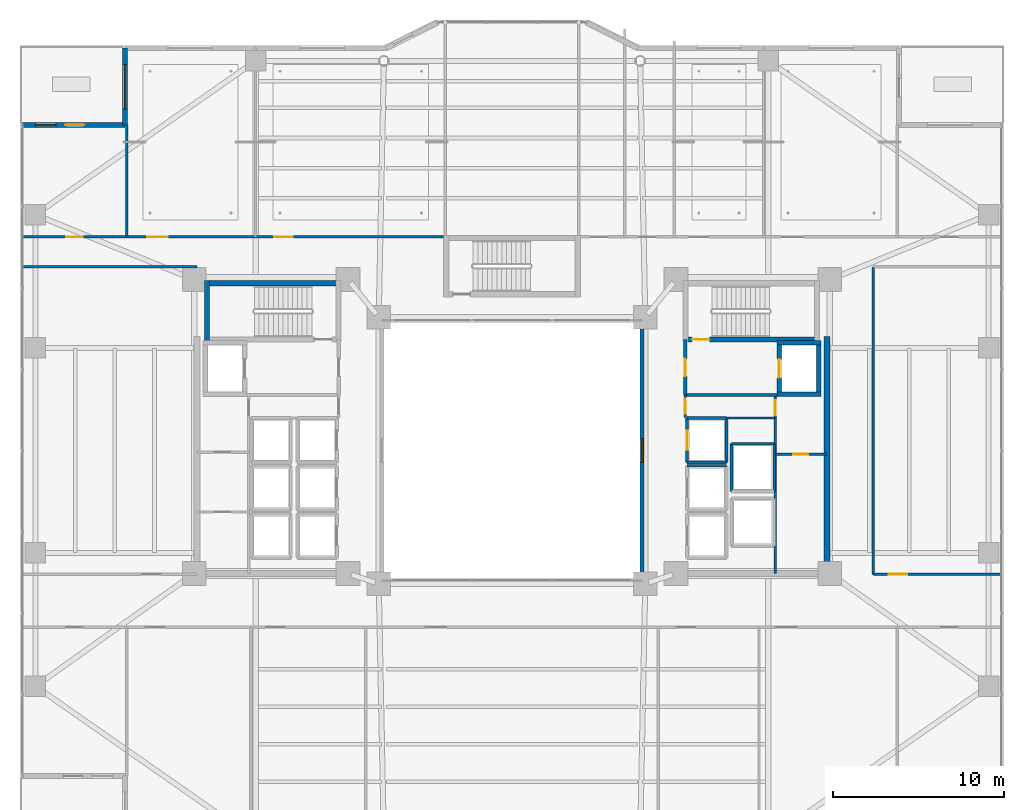
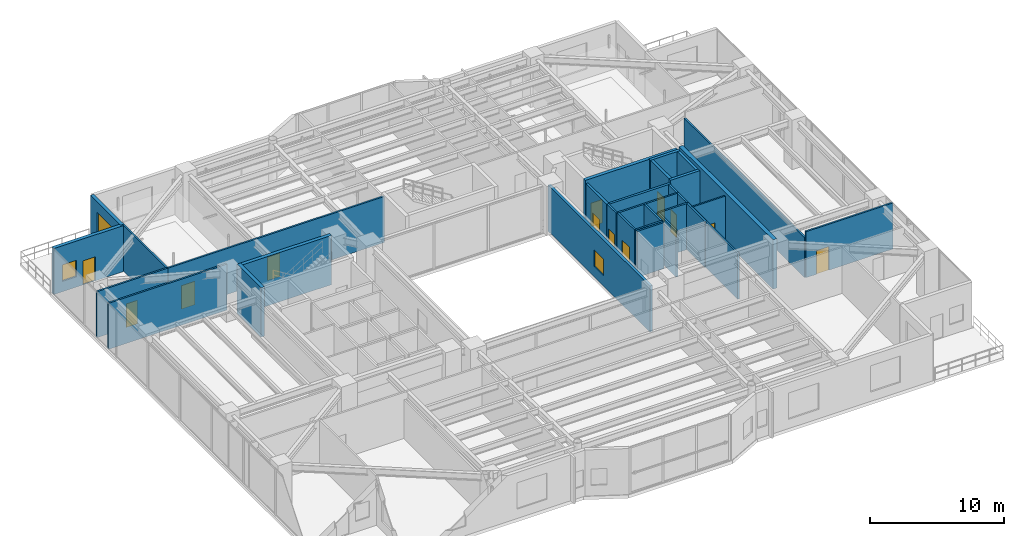
# One storey, part 31 of 39: 31 walls, 12 doors, 3 windows, 15 openings.
"""IFC4 building model written with IfcOpenShell, lengths in metres."""

import ifcopenshell
import ifcopenshell.guid

model = None  # the IFC model being written
_history = None  # IfcOwnerHistory: only IFC2X3 demands one
_inside = {}  # id of a spatial element -> (the spatial element, [elements in it])
_under = {}  # id of a project, library or spatial element -> (it, [spatial elements below it])
_declared = {}  # id of a project -> (the project, [libraries it declares])
_typed = {}  # id of a type object -> (the type object, [elements of that type])
_made_of = {}  # id of a material, layer set ... -> (it, [elements and type objects made of it])


def new_model(schema):
    """Start an empty IFC model of exactly this schema.

    Asked for "IFC4X3", IfcOpenShell would pick the latest addendum, in which some entities
    have other attributes; the version numbers below select the first issue.
    IFC2X3 requires an IfcOwnerHistory on every rooted entity: one is made here for all.
    """
    global model, _history
    if schema == "IFC4X3":
        model = ifcopenshell.file(schema_version=(4, 3, 0, 0))
    else:
        model = ifcopenshell.file(schema=schema)
    _inside.clear()
    _under.clear()
    _declared.clear()
    _typed.clear()
    _made_of.clear()
    _history = None
    if model.schema == "IFC2X3":
        org = make("IfcOrganization", Name="unknown")
        user = make(
            "IfcPersonAndOrganization",
            ThePerson=make("IfcPerson", FamilyName="unknown"),
            TheOrganization=org,
        )
        app = make(
            "IfcApplication",
            ApplicationDeveloper=org,
            Version="unknown",
            ApplicationFullName="unknown",
            ApplicationIdentifier="unknown",
        )
        _history = make(
            "IfcOwnerHistory",
            OwningUser=user,
            OwningApplication=app,
            ChangeAction="ADDED",
            CreationDate=0,
        )
    return model


def make(cls, **values):
    """One entity of the class cls with the attributes given. An attribute that is None is left unset."""
    return model.create_entity(
        cls, **{name: value for name, value in values.items() if value is not None}
    )


def rooted(cls, **values):
    """An entity with a GlobalId (a new one), such as an element, a storey or a relation."""
    return make(cls, GlobalId=ifcopenshell.guid.new(), OwnerHistory=_history, **values)


def si_unit(unit_type, name, prefix=None):
    """IfcSIUnit, for example si_unit("LENGTHUNIT", "METRE", prefix="MILLI")."""
    return make("IfcSIUnit", UnitType=unit_type, Prefix=prefix, Name=name)


def assignment(units):
    """IfcUnitAssignment: the units of a project."""
    return None if units is None else make("IfcUnitAssignment", Units=units)


def point(xyz):
    """IfcCartesianPoint."""
    return None if xyz is None else make("IfcCartesianPoint", Coordinates=xyz)


def direction(xyz):
    """IfcDirection."""
    return None if xyz is None else make("IfcDirection", DirectionRatios=xyz)


def frame(location, z_axis=None, x_axis=None):
    """IfcAxis2Placement3D, a coordinate frame: its origin and axes. An axis left out is left unset."""
    return make(
        "IfcAxis2Placement3D",
        Location=point(location),
        Axis=direction(z_axis),
        RefDirection=direction(x_axis),
    )


def frame_2d(location, x_axis=None):
    """IfcAxis2Placement2D, a coordinate frame in the plane: its origin and x axis."""
    return make(
        "IfcAxis2Placement2D", Location=point(location), RefDirection=direction(x_axis)
    )


def origin():
    """The frame at (0, 0, 0) with its axes left unset."""
    return frame((0.0, 0.0, 0.0))


def place(relative_to, where):
    """IfcLocalPlacement: puts the frame where relative to a parent placement (None: the world)."""
    return make(
        "IfcLocalPlacement", PlacementRelTo=relative_to, RelativePlacement=where
    )


def context(
    kind, dimensions, precision=None, world=None, true_north=None, identifier=None
):
    """IfcGeometricRepresentationContext, for example the 3D "Model" context."""
    return make(
        "IfcGeometricRepresentationContext",
        ContextIdentifier=identifier,
        ContextType=kind,
        CoordinateSpaceDimension=dimensions,
        Precision=precision,
        WorldCoordinateSystem=world,
        TrueNorth=true_north,
    )


def subcontext(parent, identifier, kind, view, scale=None):
    """IfcGeometricRepresentationSubContext, for example "Body" below "Model"."""
    return make(
        "IfcGeometricRepresentationSubContext",
        ContextIdentifier=identifier,
        ContextType=kind,
        ParentContext=parent,
        TargetScale=scale,
        TargetView=view,
    )


def project(units=None, contexts=None):
    """IfcProject with its units and contexts."""
    return rooted(
        "IfcProject",
        Name="project",
        RepresentationContexts=contexts,
        UnitsInContext=assignment(units),
    )


def spatial(cls, under=None, at=None, **own):
    """A site, building, storey or space (cls), placed at a placement, below another one or the project."""
    s = rooted(cls, ObjectPlacement=at, **own)
    if under is not None:
        _under.setdefault(under.id(), (under, []))[1].append(s)
    return s


def profile(cls, at=None, kind="AREA", **sizes):
    """A parametric profile (cls). Its sizes go by their IFC names, for example OverallWidth=200.0."""
    return make(cls, ProfileType=kind, Position=at, **sizes)


def rectangle(**sizes):
    """IfcRectangleProfileDef."""
    return profile("IfcRectangleProfileDef", **sizes)


def extrude(swept, where, along, depth):
    """IfcExtrudedAreaSolid: the profile swept, set in the frame where, extruded along a direction by depth."""
    return make(
        "IfcExtrudedAreaSolid",
        SweptArea=swept,
        Position=where,
        ExtrudedDirection=direction(along),
        Depth=depth,
    )


def shape(context_of_items, identifier, shape_type, items):
    """IfcShapeRepresentation: the items that make up one representation, for example the "Body"."""
    return make(
        "IfcShapeRepresentation",
        ContextOfItems=context_of_items,
        RepresentationIdentifier=identifier,
        RepresentationType=shape_type,
        Items=items,
    )


def material(Name=None, Category=None):
    """IfcMaterial."""
    return make("IfcMaterial", Name=Name, Category=Category)


def layer(
    of_material, thickness, ventilated=None, Name=None, Category=None, Priority=None
):
    """IfcMaterialLayer: one layer of a wall or slab, of a material (None: an air gap)."""
    return make(
        "IfcMaterialLayer",
        Material=of_material,
        LayerThickness=thickness,
        IsVentilated=ventilated,
        Name=Name,
        Category=Category,
        Priority=Priority,
    )


def layer_set(layers, Name=None):
    """IfcMaterialLayerSet."""
    return make("IfcMaterialLayerSet", MaterialLayers=layers, LayerSetName=Name)


def made_of(thing, what):
    """Note that an element or type object is made of a material, layer set ...; save() writes the relation."""
    if what is not None:
        _made_of.setdefault(what.id(), (what, []))[1].append(thing)
    return thing


def type_object(cls, material=None, **own):
    """A type object (cls), such as IfcWallType, which elements share."""
    return made_of(rooted(cls, **own), material)


def element(
    cls,
    number,
    at=None,
    inside=None,
    cuts=None,
    type_object=None,
    material=None,
    context=None,
    identifier="Body",
    shape_type=None,
    held_by="IfcProductDefinitionShape",
    body=None,
    shapes=None,
    **own,
):
    """One element of the class cls, such as IfcWall. Its Tag is "e" and its number.

    at: its placement. inside: the storey or other place that contains it. cuts: it is an
    opening in that element (IfcRelVoidsElement). A single representation is given by context,
    identifier, shape_type and body (its items); several are given by shapes. held_by: the class
    of the entity that holds the representations. save() writes the other relations.
    """
    e = rooted(cls, Tag="e%d" % number, ObjectPlacement=at, **own)
    if body is not None:
        shapes = [shape(context, identifier, shape_type, body)]
    if shapes is not None:
        e.Representation = make(held_by, Representations=shapes)
    if inside is not None:
        _inside.setdefault(inside.id(), (inside, []))[1].append(e)
    if cuts is not None:
        rooted(
            "IfcRelVoidsElement", RelatingBuildingElement=cuts, RelatedOpeningElement=e
        )
    if type_object is not None:
        _typed.setdefault(type_object.id(), (type_object, []))[1].append(e)
    return made_of(e, material)


def fill(opening, filler):
    """IfcRelFillsElement: the door or window that sits in an opening."""
    return rooted(
        "IfcRelFillsElement",
        RelatingOpeningElement=opening,
        RelatedBuildingElement=filler,
    )


def aggregate(whole, parts):
    """IfcRelAggregates: a whole, such as a stair, and the parts it consists of."""
    return rooted("IfcRelAggregates", RelatingObject=whole, RelatedObjects=parts)


def save(model, path):
    """Write the relations noted so far, then the file.

    IfcRelAggregates (storeys below a building ...), IfcRelContainedInSpatialStructure (elements
    in a storey), IfcRelDefinesByType, IfcRelAssociatesMaterial and IfcRelDeclares: one each for
    every whole, place, type object, material and project.
    """
    for whole, parts in _under.values():
        aggregate(whole, parts)
    for where, things in _inside.values():
        rooted(
            "IfcRelContainedInSpatialStructure",
            RelatedElements=things,
            RelatingStructure=where,
        )
    for kind, things in _typed.values():
        rooted("IfcRelDefinesByType", RelatedObjects=things, RelatingType=kind)
    for what, things in _made_of.values():
        rooted("IfcRelAssociatesMaterial", RelatedObjects=things, RelatingMaterial=what)
    for by, libraries in _declared.values():
        rooted("IfcRelDeclares", RelatingContext=by, RelatedDefinitions=libraries)
    model.write(path)


model = new_model("IFC4")

# Units and contexts
model_context = context("Model", 3, precision=1e-05, world=origin(), true_north=direction((0.0, 1.0)))
body_context = subcontext(model_context, "Body", "Model", "MODEL_VIEW")
ifc_project = project(units=[si_unit("LENGTHUNIT", "METRE"), si_unit("AREAUNIT", "SQUARE_METRE"), si_unit("VOLUMEUNIT", "CUBIC_METRE"), si_unit("PLANEANGLEUNIT", "RADIAN"), si_unit("MASSUNIT", "GRAM", prefix="KILO")], contexts=[model_context])

# Site, building, storey
site_placement = place(None, origin())
site = spatial("IfcSite", under=ifc_project, at=site_placement, CompositionType="ELEMENT")
building_placement = place(site_placement, origin())
building = spatial("IfcBuilding", under=site, at=building_placement, Name="Tarnavaz Court Tower", CompositionType="ELEMENT")
storey_placement = place(building_placement, frame((0.0, 0.0, 68.699951171875)))
storey = spatial("IfcBuildingStorey", under=building, at=storey_placement, Name="L18", CompositionType="ELEMENT", Elevation=68.699951171875)

# Wall, opening, door
ifc_material_1 = material(Name="Concrete C60/75", Category="concrete")
ifc_layer_1 = layer(ifc_material_1, 0.25)
ifc_layer_set_1 = layer_set([ifc_layer_1], Name="Concrete C60/75")
wall_type_1 = type_object("IfcWallType", Name="WL-CORE-250-C60", PredefinedType="SHEAR", material=ifc_layer_set_1)
wall_1_placement = place(storey_placement, frame((15.64990234375, 3.175048828125, 0.0), z_axis=(0.0, 0.0, 1.0), x_axis=(0.0, 1.0, 0.0)))
wall_1 = element("IfcWall", 1, at=wall_1_placement, inside=storey, type_object=wall_type_1, Name="L18 Lift FL-E1 Shaft Wall 045", PredefinedType="SHEAR", context=body_context, shape_type="SweptSolid", body=[
    extrude(rectangle(XDim=3.25, YDim=0.25, at=frame_2d((1.625, 0.0))), origin(), (0.0, 0.0, 1.0), 4.5),
])
opening_1_placement = place(wall_1_placement, frame((1.074951171875, 0.0, 0.0)))
opening_1 = element("IfcOpeningElement", 2, at=opening_1_placement, cuts=wall_1, Name="Opening LD1", PredefinedType="OPENING", context=body_context, shape_type="SweptSolid", body=[
    extrude(rectangle(XDim=1.10009765625, YDim=2.14990234375, at=frame_2d((0.550048828125, 1.074951171875))), frame((0.0, 0.135009765625, 0.0), z_axis=(0.0, -1.0, 0.0), x_axis=(1.0, 0.0, 0.0)), (0.0, 0.0, 1.0), 0.27001953125),
])
ifc_material_2 = material(Name="Stainless Steel", Category="steel")
door_type_1 = type_object("IfcDoorType", Name="DR-LD-1100", OperationType="NOTDEFINED", PredefinedType="DOOR", material=ifc_material_2)
door_1_placement = place(opening_1_placement, origin())
door_1 = element("IfcDoor", 3, at=door_1_placement, inside=storey, type_object=door_type_1, Name="L18 Lift Landing Door LD-FL-E1", OperationType="SLIDING_TO_LEFT", OverallHeight=2.14990234375, OverallWidth=1.10009765625, PredefinedType="DOOR", context=body_context, shape_type="SweptSolid", body=[
    extrude(rectangle(XDim=1.10009765625, YDim=2.14990234375, at=frame_2d((0.550048828125, 1.074951171875))), frame((0.0, 0.02490234375, 0.0), z_axis=(0.0, -1.0, 0.0), x_axis=(1.0, 0.0, 0.0)), (0.0, 0.0, 1.0), 0.050048828125),
])
fill(opening_1, door_1)

# Walls
wall_2_placement = place(storey_placement, frame((17.949951171875, 3.175048828125, 0.0), z_axis=(0.0, 0.0, 1.0), x_axis=(0.0, 1.0, 0.0)))
element("IfcWall", 4, at=wall_2_placement, inside=storey, type_object=wall_type_1, Name="L18 Lift FL-E1 Shaft Wall 046", PredefinedType="SHEAR", context=body_context, shape_type="SweptSolid", body=[
    extrude(rectangle(XDim=3.25, YDim=0.25, at=frame_2d((1.625, 0.0))), origin(), (0.0, 0.0, 1.0), 4.5),
])
for number, where, z_axis, x_axis, name in (
    (5, (15.52490234375, 3.300048828125, 0.0), (0.0, 0.0, 1.0), (1.0, 0.0, 0.0), "L18 Lift FL-E1 Shaft Wall 047"),
    (6, (15.52490234375, 6.300048828125, 0.0), (0.0, 0.0, 1.0), (1.0, 0.0, 0.0), "L18 Lift FL-E1 Shaft Wall 048"),
):
    element("IfcWall", number, at=place(storey_placement, frame(where, z_axis=z_axis, x_axis=x_axis)), inside=storey, type_object=wall_type_1, Name=name, PredefinedType="SHEAR", context=body_context, shape_type="SweptSolid", body=[
        extrude(rectangle(XDim=2.550048828125, YDim=0.25, at=frame_2d((1.27490234375, 0.0))), origin(), (0.0, 0.0, 1.0), 4.5),
    ])
ifc_layer_2 = layer(ifc_material_1, 0.300048828125)
ifc_layer_set_2 = layer_set([ifc_layer_2], Name="Concrete C60/75")
wall_type_2 = type_object("IfcWallType", Name="WL-CORE-300-C60", PredefinedType="SHEAR", material=ifc_layer_set_2)
wall_3_placement = place(storey_placement, frame((-18.0, 9.7900390625, 0.0), z_axis=(0.0, 0.0, 1.0), x_axis=(1.0, 0.0, 0.0)))
element("IfcWall", 7, at=wall_3_placement, inside=storey, type_object=wall_type_2, Name="L18 West Stair Core Wall 001", PredefinedType="SHEAR", context=body_context, shape_type="SweptSolid", body=[
    extrude(rectangle(XDim=8.0, YDim=0.300048828125, at=frame_2d((4.0, 0.0))), origin(), (0.0, 0.0, 1.0), 4.5),
])
wall_4_placement = place(storey_placement, frame((-17.85009765625, 6.35009765625, 0.0), z_axis=(0.0, 0.0, 1.0), x_axis=(0.0, 1.0, 0.0)))
element("IfcWall", 8, at=wall_4_placement, inside=storey, type_object=wall_type_2, Name="L18 West Stair Core Wall 003", PredefinedType="SHEAR", context=body_context, shape_type="SweptSolid", body=[
    extrude(rectangle(XDim=3.58984375, YDim=0.300048828125, at=frame_2d((1.794921875, 0.0))), origin(), (0.0, 0.0, 1.0), 4.5),
])

# Wall, opening, door
wall_5_placement = place(storey_placement, frame((10.0, 6.5, 0.0), z_axis=(0.0, 0.0, 1.0), x_axis=(1.0, 0.0, 0.0)))
wall_5 = element("IfcWall", 9, at=wall_5_placement, inside=storey, type_object=wall_type_2, Name="L18 East Stair Core Wall 006", PredefinedType="SHEAR", context=body_context, shape_type="SweptSolid", body=[
    extrude(rectangle(XDim=8.0, YDim=0.300048828125, at=frame_2d((4.0, 0.0))), origin(), (0.0, 0.0, 1.0), 4.5),
])
opening_2_placement = place(wall_5_placement, frame((0.550048828125, 0.0, 0.0)))
opening_2 = element("IfcOpeningElement", 10, at=opening_2_placement, cuts=wall_5, Name="Opening D01", PredefinedType="OPENING", context=body_context, shape_type="SweptSolid", body=[
    extrude(rectangle(XDim=1.0, YDim=2.14990234375, at=frame_2d((0.5, 1.074951171875))), frame((0.0, 0.159912109375, 0.0), z_axis=(0.0, -1.0, 0.0), x_axis=(1.0, 0.0, 0.0)), (0.0, 0.0, 1.0), 0.320068359375),
])
ifc_material_3 = material(Name="Fire-Rated Hardwood Timber Core", Category="wood")
door_type_2 = type_object("IfcDoorType", Name="DR-FD90-1000", OperationType="NOTDEFINED", PredefinedType="DOOR", material=ifc_material_3)
door_2_placement = place(opening_2_placement, origin())
door_2 = element("IfcDoor", 11, at=door_2_placement, inside=storey, type_object=door_type_2, Name="L18 Stair ST-E1 Exit Door", OperationType="SINGLE_SWING_RIGHT", OverallHeight=2.14990234375, OverallWidth=1.0, PredefinedType="DOOR", context=body_context, shape_type="SweptSolid", body=[
    extrude(rectangle(XDim=1.0, YDim=2.14990234375, at=frame_2d((0.5, 1.074951171875))), frame((0.0, 0.02490234375, 0.0), z_axis=(0.0, -1.0, 0.0), x_axis=(1.0, 0.0, 0.0)), (0.0, 0.0, 1.0), 0.050048828125),
])
fill(opening_2, door_2)

# Wall
ifc_layer_3 = layer(ifc_material_1, 0.35009765625)
ifc_layer_set_3 = layer_set([ifc_layer_3], Name="Concrete C60/75")
wall_type_3 = type_object("IfcWallType", Name="WL-CORE-350-C60", PredefinedType="SHEAR", material=ifc_layer_set_3)
wall_6_placement = place(storey_placement, frame((18.449951171875, -7.375, 0.0), z_axis=(0.0, 0.0, 1.0), x_axis=(0.0, 1.0, 0.0)))
element("IfcWall", 12, at=wall_6_placement, inside=storey, type_object=wall_type_3, Name="L18 East Core Shear Wall 071", PredefinedType="SHEAR", context=body_context, shape_type="SweptSolid", body=[
    extrude(rectangle(XDim=14.050048828125, YDim=0.35009765625, at=frame_2d((7.02490234375, 0.0))), origin(), (0.0, 0.0, 1.0), 4.5),
])

# Wall, openings, door, window
ifc_material_4 = material(Name="Precast Concrete C40/50", Category="concrete")
ifc_layer_4 = layer(ifc_material_4, 0.300048828125)
ifc_layer_set_4 = layer_set([ifc_layer_4], Name="Precast Concrete C40/50")
wall_type_4 = type_object("IfcWallType", Name="WL-EXT-300", PredefinedType="SOLIDWALL", material=ifc_layer_set_4)
wall_7_placement = place(storey_placement, frame((-28.64990234375, 19.050048828125, 0.0), z_axis=(0.0, 0.0, 1.0), x_axis=(1.0, 0.0, 0.0)))
wall_7 = element("IfcWall", 13, at=wall_7_placement, inside=storey, type_object=wall_type_4, Name="L18 Exterior Terracotta Facade Wall 03", PredefinedType="SOLIDWALL", context=body_context, shape_type="SweptSolid", body=[
    extrude(rectangle(XDim=6.0, YDim=0.300048828125, at=frame_2d((3.0, 0.0))), origin(), (0.0, 0.0, 1.0), 4.199951171875),
])
opening_3_placement = place(wall_7_placement, frame((2.5, 0.0, 0.0)))
opening_3 = element("IfcOpeningElement", 14, at=opening_3_placement, cuts=wall_7, Name="Opening TD1", PredefinedType="OPENING", context=body_context, shape_type="SweptSolid", body=[
    extrude(rectangle(XDim=1.10009765625, YDim=2.199951171875, at=frame_2d((0.550048828125, 1.10009765625))), frame((0.0, 0.159912109375, 0.0), z_axis=(0.0, -1.0, 0.0), x_axis=(1.0, 0.0, 0.0)), (0.0, 0.0, 1.0), 0.320068359375),
])
opening_4_placement = place(wall_7_placement, frame((0.7548828125, 0.0, 0.949951171875)))
opening_4 = element("IfcOpeningElement", 15, at=opening_4_placement, cuts=wall_7, Name="Opening W05", PredefinedType="OPENING", context=body_context, shape_type="SweptSolid", body=[
    extrude(rectangle(XDim=1.199951171875, YDim=1.5, at=frame_2d((0.60009765625, 0.75))), frame((0.0, 0.159912109375, 0.0), z_axis=(0.0, -1.0, 0.0), x_axis=(1.0, 0.0, 0.0)), (0.0, 0.0, 1.0), 0.320068359375),
])
ifc_material_5 = material(Name="Thermally Broken Aluminium and Laminated Glass", Category="aluminium")
door_type_3 = type_object("IfcDoorType", Name="DR-TERR-1100", OperationType="NOTDEFINED", PredefinedType="DOOR", material=ifc_material_5)
door_3_placement = place(opening_3_placement, origin())
door_3 = element("IfcDoor", 16, at=door_3_placement, inside=storey, type_object=door_type_3, Name="L18 Sky Terrace Access Door 2", OperationType="SINGLE_SWING_RIGHT", OverallHeight=2.199951171875, OverallWidth=1.10009765625, PredefinedType="DOOR", context=body_context, shape_type="SweptSolid", body=[
    extrude(rectangle(XDim=1.10009765625, YDim=2.199951171875, at=frame_2d((0.550048828125, 1.10009765625))), frame((0.0, 0.02490234375, 0.0), z_axis=(0.0, -1.0, 0.0), x_axis=(1.0, 0.0, 0.0)), (0.0, 0.0, 1.0), 0.050048828125),
])
fill(opening_3, door_3)
ifc_material_6 = material(Name="Double-Glazed Solar Low-E Glass", Category="glass")
window_type_1 = type_object("IfcWindowType", Name="WN-APT-1200", PartitioningType="SINGLE_PANEL", PredefinedType="WINDOW", material=ifc_material_6)
window_1_placement = place(opening_4_placement, origin())
window_1 = element("IfcWindow", 17, at=window_1_placement, inside=storey, type_object=window_type_1, Name="L18 L18 NW Terrace Salon Window", OverallHeight=1.5, OverallWidth=1.199951171875, PartitioningType="SINGLE_PANEL", PredefinedType="WINDOW", context=body_context, shape_type="SweptSolid", body=[
    extrude(rectangle(XDim=1.199951171875, YDim=1.5, at=frame_2d((0.60009765625, 0.75))), frame((0.0, 0.030029296875, 0.0), z_axis=(0.0, -1.0, 0.0), x_axis=(1.0, 0.0, 0.0)), (0.0, 0.0, 1.0), 0.06005859375),
])
fill(opening_4, window_1)

# Wall, opening, window
wall_8_placement = place(storey_placement, frame((-22.64990234375, 19.050048828125, 0.0), z_axis=(0.0, 0.0, 1.0), x_axis=(0.0, 1.0, 0.0)))
wall_8 = element("IfcWall", 18, at=wall_8_placement, inside=storey, type_object=wall_type_4, Name="L18 Exterior Terracotta Facade Wall 04", PredefinedType="SOLIDWALL", context=body_context, shape_type="SweptSolid", body=[
    extrude(rectangle(XDim=4.5, YDim=0.300048828125, at=frame_2d((2.25, 0.0))), origin(), (0.0, 0.0, 1.0), 4.199951171875),
])
opening_5_placement = place(wall_8_placement, frame((0.9326171875, 0.0, 0.85009765625)))
opening_5 = element("IfcOpeningElement", 19, at=opening_5_placement, cuts=wall_8, Name="Opening W11", PredefinedType="OPENING", context=body_context, shape_type="SweptSolid", body=[
    extrude(rectangle(XDim=2.60009765625, YDim=2.39990234375, at=frame_2d((1.300048828125, 1.199951171875))), frame((0.0, 0.159912109375, 0.0), z_axis=(0.0, -1.0, 0.0), x_axis=(1.0, 0.0, 0.0)), (0.0, 0.0, 1.0), 0.320068359375),
])
window_type_2 = type_object("IfcWindowType", Name="WN-COM-2600", PartitioningType="TRIPLE_PANEL_VERTICAL", PredefinedType="WINDOW", material=ifc_material_6)
window_2_placement = place(opening_5_placement, origin())
window_2 = element("IfcWindow", 20, at=window_2_placement, inside=storey, type_object=window_type_2, Name="L18 Sky Transfer Reception Concourse Window", OverallHeight=2.39990234375, OverallWidth=2.60009765625, PartitioningType="SINGLE_PANEL", PredefinedType="WINDOW", context=body_context, shape_type="SweptSolid", body=[
    extrude(rectangle(XDim=2.60009765625, YDim=2.39990234375, at=frame_2d((1.300048828125, 1.199951171875))), frame((0.0, 0.030029296875, 0.0), z_axis=(0.0, -1.0, 0.0), x_axis=(1.0, 0.0, 0.0)), (0.0, 0.0, 1.0), 0.06005859375),
])
fill(opening_5, window_2)

# Wall, openings, doors
ifc_material_7 = material(Name="Gypsum Fire-Board on Acoustic Metal Stud", Category="masonry")
ifc_layer_5 = layer(ifc_material_7, 0.14990234375)
ifc_layer_set_5 = layer_set([ifc_layer_5], Name="Gypsum Fire-Board on Acoustic Metal Stud")
wall_type_5 = type_object("IfcWallType", Name="WL-FIRE-150", PredefinedType="PARTITIONING", material=ifc_layer_set_5)
wall_9_placement = place(storey_placement, frame((-22.550048828125, 12.5, 0.0), z_axis=(0.0, 0.0, 1.0), x_axis=(1.0, 0.0, 0.0)))
wall_9 = element("IfcWall", 21, at=wall_9_placement, inside=storey, type_object=wall_type_5, Name="L18 NW Wing Corridor Wall 082", PredefinedType="PARTITIONING", context=body_context, shape_type="SweptSolid", body=[
    extrude(rectangle(XDim=18.699951171875, YDim=0.14990234375, at=frame_2d((9.35009765625, 0.0))), origin(), (0.0, 0.0, 1.0), 4.199951171875),
])
opening_6_placement = place(wall_9_placement, frame((1.199951171875, 0.0, 0.0)))
opening_6 = element("IfcOpeningElement", 22, at=opening_6_placement, cuts=wall_9, Name="Opening D11", PredefinedType="OPENING", context=body_context, shape_type="SweptSolid", body=[
    extrude(rectangle(XDim=1.199951171875, YDim=2.14990234375, at=frame_2d((0.60009765625, 1.074951171875))), frame((0.0, 0.0849609375, 0.0), z_axis=(0.0, -1.0, 0.0), x_axis=(1.0, 0.0, 0.0)), (0.0, 0.0, 1.0), 0.169921875),
])
opening_7_placement = place(wall_9_placement, frame((8.633056640625, 0.0, 0.0)))
opening_7 = element("IfcOpeningElement", 23, at=opening_7_placement, cuts=wall_9, Name="Opening D12", PredefinedType="OPENING", context=body_context, shape_type="SweptSolid", body=[
    extrude(rectangle(XDim=1.080078125, YDim=2.14990234375, at=frame_2d((0.5400390625, 1.074951171875))), frame((0.0, 0.0849609375, 0.0), z_axis=(0.0, -1.0, 0.0), x_axis=(1.0, 0.0, 0.0)), (0.0, 0.0, 1.0), 0.169921875),
])
ifc_material_8 = material(Name="Engineered Oak Timber", Category="wood")
door_type_4 = type_object("IfcDoorType", Name="DR-INT-1100", OperationType="NOTDEFINED", PredefinedType="DOOR", material=ifc_material_8)
door_4_placement = place(opening_7_placement, origin())
door_4 = element("IfcDoor", 24, at=door_4_placement, inside=storey, type_object=door_type_4, Name="L18 Residents Reading Library Door", OperationType="SINGLE_SWING_RIGHT", OverallHeight=2.14990234375, OverallWidth=1.080078125, PredefinedType="DOOR", context=body_context, shape_type="SweptSolid", body=[
    extrude(rectangle(XDim=1.080078125, YDim=2.14990234375, at=frame_2d((0.5400390625, 1.074951171875))), frame((0.0, 0.02490234375, 0.0), z_axis=(0.0, -1.0, 0.0), x_axis=(1.0, 0.0, 0.0)), (0.0, 0.0, 1.0), 0.050048828125),
])
fill(opening_7, door_4)
door_type_5 = type_object("IfcDoorType", Name="DR-INT-1200", OperationType="NOTDEFINED", PredefinedType="DOOR", material=ifc_material_8)
door_5_placement = place(opening_6_placement, origin())
door_5 = element("IfcDoor", 25, at=door_5_placement, inside=storey, type_object=door_type_5, Name="L18 Sky Transfer Reception Concourse Door", OperationType="SINGLE_SWING_LEFT", OverallHeight=2.14990234375, OverallWidth=1.199951171875, PredefinedType="DOOR", context=body_context, shape_type="SweptSolid", body=[
    extrude(rectangle(XDim=1.199951171875, YDim=2.14990234375, at=frame_2d((0.60009765625, 1.074951171875))), frame((0.0, 0.02490234375, 0.0), z_axis=(0.0, -1.0, 0.0), x_axis=(1.0, 0.0, 0.0)), (0.0, 0.0, 1.0), 0.050048828125),
])
fill(opening_6, door_5)

# Wall
wall_10_placement = place(storey_placement, frame((21.14990234375, -7.25, 0.0), z_axis=(0.0, 0.0, 1.0), x_axis=(0.0, 1.0, 0.0)))
element("IfcWall", 26, at=wall_10_placement, inside=storey, type_object=wall_type_5, Name="L18 East Outer Link Wall 084", PredefinedType="PARTITIONING", context=body_context, shape_type="SweptSolid", body=[
    extrude(rectangle(XDim=18.0, YDim=0.14990234375, at=frame_2d((9.0, 0.0))), origin(), (0.0, 0.0, 1.0), 3.635009765625),
])

# Wall, opening, door
wall_11_placement = place(storey_placement, frame((21.14990234375, -7.25, 0.0), z_axis=(0.0, 0.0, 1.0), x_axis=(1.0, 0.0, 0.0)))
wall_11 = element("IfcWall", 27, at=wall_11_placement, inside=storey, type_object=wall_type_5, Name="L18 Interior Partition 099", PredefinedType="PARTITIONING", context=body_context, shape_type="SweptSolid", body=[
    extrude(rectangle(XDim=7.530029296875, YDim=0.14990234375, at=frame_2d((3.76513671875, 0.0))), origin(), (0.0, 0.0, 1.0), 4.199951171875),
])
opening_8_placement = place(wall_11_placement, frame((0.89990234375, 0.0, 0.0)))
opening_8 = element("IfcOpeningElement", 28, at=opening_8_placement, cuts=wall_11, Name="Opening D12", PredefinedType="OPENING", context=body_context, shape_type="SweptSolid", body=[
    extrude(rectangle(XDim=1.080078125, YDim=2.14990234375, at=frame_2d((0.5400390625, 1.074951171875))), frame((0.0, 0.0849609375, 0.0), z_axis=(0.0, -1.0, 0.0), x_axis=(1.0, 0.0, 0.0)), (0.0, 0.0, 1.0), 0.169921875),
])
door_6_placement = place(opening_8_placement, origin())
door_6 = element("IfcDoor", 29, at=door_6_placement, inside=storey, type_object=door_type_4, Name="L18 East Panoramic Lounge Door", OperationType="SINGLE_SWING_LEFT", OverallHeight=2.14990234375, OverallWidth=1.080078125, PredefinedType="DOOR", context=body_context, shape_type="SweptSolid", body=[
    extrude(rectangle(XDim=1.080078125, YDim=2.14990234375, at=frame_2d((0.5400390625, 1.074951171875))), frame((0.0, 0.02490234375, 0.0), z_axis=(0.0, -1.0, 0.0), x_axis=(1.0, 0.0, 0.0)), (0.0, 0.0, 1.0), 0.050048828125),
])
fill(opening_8, door_6)

# Wall
wall_12_placement = place(storey_placement, frame((-28.679931640625, 10.75, 0.0), z_axis=(0.0, 0.0, 1.0), x_axis=(1.0, 0.0, 0.0)))
element("IfcWall", 30, at=wall_12_placement, inside=storey, type_object=wall_type_5, Name="L18 Interior Partition 100", PredefinedType="PARTITIONING", context=body_context, shape_type="SweptSolid", body=[
    extrude(rectangle(XDim=10.22998046875, YDim=0.14990234375, at=frame_2d((5.114990234375, 0.0))), origin(), (0.0, 0.0, 1.0), 4.199951171875),
])

# Wall, opening, door
wall_13_placement = place(storey_placement, frame((-28.679931640625, 12.5, 0.0), z_axis=(0.0, 0.0, 1.0), x_axis=(1.0, 0.0, 0.0)))
wall_13 = element("IfcWall", 31, at=wall_13_placement, inside=storey, type_object=wall_type_5, Name="L18 Interior Partition 106", PredefinedType="PARTITIONING", context=body_context, shape_type="SweptSolid", body=[
    extrude(rectangle(XDim=6.1298828125, YDim=0.14990234375, at=frame_2d((3.06494140625, 0.0))), origin(), (0.0, 0.0, 1.0), 4.199951171875),
])
opening_9_placement = place(wall_13_placement, frame((2.590087890625, 0.0, 0.0)))
opening_9 = element("IfcOpeningElement", 32, at=opening_9_placement, cuts=wall_13, Name="Opening D13", PredefinedType="OPENING", context=body_context, shape_type="SweptSolid", body=[
    extrude(rectangle(XDim=0.949951171875, YDim=2.14990234375, at=frame_2d((0.47509765625, 1.074951171875))), frame((0.0, 0.0849609375, 0.0), z_axis=(0.0, -1.0, 0.0), x_axis=(1.0, 0.0, 0.0)), (0.0, 0.0, 1.0), 0.169921875),
])
door_type_6 = type_object("IfcDoorType", Name="DR-INT-950", OperationType="NOTDEFINED", PredefinedType="DOOR", material=ifc_material_8)
door_7_placement = place(opening_9_placement, origin())
door_7 = element("IfcDoor", 33, at=door_7_placement, inside=storey, type_object=door_type_6, Name="L18 NW Terrace Salon Door", OperationType="SINGLE_SWING_RIGHT", OverallHeight=2.14990234375, OverallWidth=0.949951171875, PredefinedType="DOOR", context=body_context, shape_type="SweptSolid", body=[
    extrude(rectangle(XDim=0.949951171875, YDim=2.14990234375, at=frame_2d((0.47509765625, 1.074951171875))), frame((0.0, 0.02490234375, 0.0), z_axis=(0.0, -1.0, 0.0), x_axis=(1.0, 0.0, 0.0)), (0.0, 0.0, 1.0), 0.050048828125),
])
fill(opening_9, door_7)

# Wall
ifc_material_9 = material(Name="Autoclaved Aerated Concrete Blockwork", Category="masonry")
ifc_layer_6 = layer(ifc_material_9, 0.199951171875)
ifc_layer_set_6 = layer_set([ifc_layer_6], Name="Autoclaved Aerated Concrete Blockwork")
wall_type_6 = type_object("IfcWallType", Name="WL-FIRE-200", PredefinedType="SOLIDWALL", material=ifc_layer_set_6)
wall_14_placement = place(storey_placement, frame((10.14990234375, 3.25, 0.0), z_axis=(0.0, 0.0, 1.0), x_axis=(1.0, 0.0, 0.0)))
element("IfcWall", 34, at=wall_14_placement, inside=storey, type_object=wall_type_6, Name="L18 East Firefighting Lobby Wall 015", PredefinedType="SOLIDWALL", context=body_context, shape_type="SweptSolid", body=[
    extrude(rectangle(XDim=5.400146484375, YDim=0.199951171875, at=frame_2d((2.7001953125, 0.0))), origin(), (0.0, 0.0, 1.0), 4.199951171875),
])

# Wall, opening, door
wall_15_placement = place(storey_placement, frame((10.14990234375, 3.25, 0.0), z_axis=(0.0, 0.0, 1.0), x_axis=(0.0, 1.0, 0.0)))
wall_15 = element("IfcWall", 35, at=wall_15_placement, inside=storey, type_object=wall_type_6, Name="L18 East Firefighting Lobby Wall 016", PredefinedType="SOLIDWALL", context=body_context, shape_type="SweptSolid", body=[
    extrude(rectangle(XDim=3.25, YDim=0.199951171875, at=frame_2d((1.625, 0.0))), origin(), (0.0, 0.0, 1.0), 4.199951171875),
])
opening_10_placement = place(wall_15_placement, frame((1.10009765625, 0.0, 0.0)))
opening_10 = element("IfcOpeningElement", 36, at=opening_10_placement, cuts=wall_15, Name="Opening D05", PredefinedType="OPENING", context=body_context, shape_type="SweptSolid", body=[
    extrude(rectangle(XDim=1.02001953125, YDim=2.14990234375, at=frame_2d((0.510009765625, 1.074951171875))), frame((0.0, 0.10986328125, 0.0), z_axis=(0.0, -1.0, 0.0), x_axis=(1.0, 0.0, 0.0)), (0.0, 0.0, 1.0), 0.219970703125),
])
door_type_7 = type_object("IfcDoorType", Name="DR-FD60-1000", OperationType="NOTDEFINED", PredefinedType="DOOR", material=ifc_material_3)
door_8_placement = place(opening_10_placement, origin())
door_8 = element("IfcDoor", 37, at=door_8_placement, inside=storey, type_object=door_type_7, Name="L18 East Firefighting Lobby Door", OperationType="SINGLE_SWING_LEFT", OverallHeight=2.14990234375, OverallWidth=1.02001953125, PredefinedType="DOOR", context=body_context, shape_type="SweptSolid", body=[
    extrude(rectangle(XDim=1.02001953125, YDim=2.14990234375, at=frame_2d((0.510009765625, 1.074951171875))), frame((0.0, 0.02490234375, 0.0), z_axis=(0.0, -1.0, 0.0), x_axis=(1.0, 0.0, 0.0)), (0.0, 0.0, 1.0), 0.050048828125),
])
fill(opening_10, door_8)

# Wall
ifc_material_10 = material(Name="Gypsum Plasterboard Acoustic Partition", Category="masonry")
ifc_layer_7 = layer(ifc_material_10, 0.139892578125)
ifc_layer_set_7 = layer_set([ifc_layer_7], Name="Gypsum Plasterboard Acoustic Partition")
wall_type_7 = type_object("IfcWallType", Name="WL-PART-150", PredefinedType="PARTITIONING", material=ifc_layer_set_7)
wall_16_placement = place(storey_placement, frame((12.550048828125, 1.89990234375, 0.0), z_axis=(0.0, 0.0, 1.0), x_axis=(1.0, 0.0, 0.0)))
element("IfcWall", 38, at=wall_16_placement, inside=storey, type_object=wall_type_7, Name="L18 Interior Partition 078", PredefinedType="PARTITIONING", context=body_context, shape_type="SweptSolid", body=[
    extrude(rectangle(XDim=2.849853515625, YDim=0.139892578125, at=frame_2d((1.4248046875, 0.0))), origin(), (0.0, 0.0, 1.0), 4.199951171875),
])

# Wall, opening, door
wall_17_placement = place(storey_placement, frame((10.14990234375, 1.919921875, 0.0), z_axis=(0.0, 0.0, 1.0), x_axis=(0.0, 1.0, 0.0)))
wall_17 = element("IfcWall", 39, at=wall_17_placement, inside=storey, type_object=wall_type_7, Name="L18 Interior Partition 079", PredefinedType="PARTITIONING", context=body_context, shape_type="SweptSolid", body=[
    extrude(rectangle(XDim=1.330078125, YDim=0.139892578125, at=frame_2d((0.6650390625, 0.0))), origin(), (0.0, 0.0, 1.0), 4.199951171875),
])
opening_11_placement = place(wall_17_placement, frame((0.219970703125, 0.0, 0.0)))
opening_11 = element("IfcOpeningElement", 40, at=opening_11_placement, cuts=wall_17, Name="Opening D09", PredefinedType="OPENING", context=body_context, shape_type="SweptSolid", body=[
    extrude(rectangle(XDim=0.89990234375, YDim=2.080078125, at=frame_2d((0.449951171875, 1.0400390625))), frame((0.0, 0.079833984375, 0.0), z_axis=(0.0, -1.0, 0.0), x_axis=(1.0, 0.0, 0.0)), (0.0, 0.0, 1.0), 0.159912109375),
])
door_type_8 = type_object("IfcDoorType", Name="DR-FD30-900", OperationType="NOTDEFINED", PredefinedType="DOOR", material=ifc_material_3)
door_9_placement = place(opening_11_placement, origin())
door_9 = element("IfcDoor", 41, at=door_9_placement, inside=storey, type_object=door_type_8, Name="L18 East Core Service Lobby Door", OperationType="SINGLE_SWING_RIGHT", OverallHeight=2.080078125, OverallWidth=0.89990234375, PredefinedType="DOOR", context=body_context, shape_type="SweptSolid", body=[
    extrude(rectangle(XDim=0.89990234375, YDim=2.080078125, at=frame_2d((0.449951171875, 1.0400390625))), frame((0.0, 0.02490234375, 0.0), z_axis=(0.0, -1.0, 0.0), x_axis=(1.0, 0.0, 0.0)), (0.0, 0.0, 1.0), 0.050048828125),
])
fill(opening_11, door_9)

wall_18_placement = place(storey_placement, frame((15.39990234375, -7.199951171875, 0.0), z_axis=(0.0, 0.0, 1.0), x_axis=(0.0, 1.0, 0.0)))
wall_18 = element("IfcWall", 42, at=wall_18_placement, inside=storey, type_object=wall_type_7, Name="L18 Interior Partition 080", PredefinedType="PARTITIONING", context=body_context, shape_type="SweptSolid", body=[
    extrude(rectangle(XDim=10.449951171875, YDim=0.139892578125, at=frame_2d((5.22509765625, 0.0))), origin(), (0.0, 0.0, 1.0), 4.199951171875),
])
opening_12_placement = place(wall_18_placement, frame((9.25, 0.0, 0.0)))
opening_12 = element("IfcOpeningElement", 43, at=opening_12_placement, cuts=wall_18, Name="Opening D09", PredefinedType="OPENING", context=body_context, shape_type="SweptSolid", body=[
    extrude(rectangle(XDim=0.89990234375, YDim=2.080078125, at=frame_2d((0.449951171875, 1.0400390625))), frame((0.0, 0.079833984375, 0.0), z_axis=(0.0, -1.0, 0.0), x_axis=(1.0, 0.0, 0.0)), (0.0, 0.0, 1.0), 0.159912109375),
])
door_10_placement = place(opening_12_placement, origin())
door_10 = element("IfcDoor", 44, at=door_10_placement, inside=storey, type_object=door_type_8, Name="L18 East Wet Riser Door", OperationType="SINGLE_SWING_LEFT", OverallHeight=2.080078125, OverallWidth=0.89990234375, PredefinedType="DOOR", context=body_context, shape_type="SweptSolid", body=[
    extrude(rectangle(XDim=0.89990234375, YDim=2.080078125, at=frame_2d((0.449951171875, 1.0400390625))), frame((0.0, 0.02490234375, 0.0), z_axis=(0.0, -1.0, 0.0), x_axis=(1.0, 0.0, 0.0)), (0.0, 0.0, 1.0), 0.050048828125),
])
fill(opening_12, door_10)

wall_19_placement = place(storey_placement, frame((15.39990234375, -0.219970703125, 0.0), z_axis=(0.0, 0.0, 1.0), x_axis=(1.0, 0.0, 0.0)))
wall_19 = element("IfcWall", 45, at=wall_19_placement, inside=storey, type_object=wall_type_7, Name="L18 Interior Partition 081", PredefinedType="PARTITIONING", context=body_context, shape_type="SweptSolid", body=[
    extrude(rectangle(XDim=3.050048828125, YDim=0.139892578125, at=frame_2d((1.52490234375, 0.0))), origin(), (0.0, 0.0, 1.0), 4.199951171875),
])
opening_13_placement = place(wall_19_placement, frame((1.050048828125, 0.0, 0.0)))
opening_13 = element("IfcOpeningElement", 46, at=opening_13_placement, cuts=wall_19, Name="Opening D09", PredefinedType="OPENING", context=body_context, shape_type="SweptSolid", body=[
    extrude(rectangle(XDim=0.89990234375, YDim=2.080078125, at=frame_2d((0.449951171875, 1.0400390625))), frame((0.0, 0.079833984375, 0.0), z_axis=(0.0, -1.0, 0.0), x_axis=(1.0, 0.0, 0.0)), (0.0, 0.0, 1.0), 0.159912109375),
])
door_11_placement = place(opening_13_placement, origin())
door_11 = element("IfcDoor", 47, at=door_11_placement, inside=storey, type_object=door_type_8, Name="L18 East Electrical Plant Door", OperationType="SINGLE_SWING_RIGHT", OverallHeight=2.080078125, OverallWidth=0.89990234375, PredefinedType="DOOR", context=body_context, shape_type="SweptSolid", body=[
    extrude(rectangle(XDim=0.89990234375, YDim=2.080078125, at=frame_2d((0.449951171875, 1.0400390625))), frame((0.0, 0.02490234375, 0.0), z_axis=(0.0, -1.0, 0.0), x_axis=(1.0, 0.0, 0.0)), (0.0, 0.0, 1.0), 0.050048828125),
])
fill(opening_13, door_11)

# Walls
wall_20_placement = place(storey_placement, frame((-22.550048828125, 12.5, 0.0), z_axis=(0.0, 0.0, 1.0), x_axis=(0.0, 1.0, 0.0)))
element("IfcWall", 48, at=wall_20_placement, inside=storey, type_object=wall_type_7, Name="L18 Interior Partition 104", PredefinedType="PARTITIONING", context=body_context, shape_type="SweptSolid", body=[
    extrude(rectangle(XDim=6.550048828125, YDim=0.139892578125, at=frame_2d((3.27490234375, 0.0))), origin(), (0.0, 0.0, 1.0), 4.199951171875),
])
ifc_layer_8 = layer(ifc_material_9, 0.159912109375)
ifc_layer_set_8 = layer_set([ifc_layer_8], Name="Autoclaved Aerated Concrete Blockwork")
wall_type_8 = type_object("IfcWallType", Name="WL-SHAFT-150", PredefinedType="SOLIDWALL", material=ifc_layer_set_8)
wall_21_placement = place(storey_placement, frame((10.25, -0.89990234375, 0.0), z_axis=(0.0, 0.0, 1.0), x_axis=(1.0, 0.0, 0.0)))
element("IfcWall", 49, at=wall_21_placement, inside=storey, type_object=wall_type_8, Name="L18 Lift PL-M2 Shaft Wall 056", PredefinedType="SOLIDWALL", context=body_context, shape_type="SweptSolid", body=[
    extrude(rectangle(XDim=2.300048828125, YDim=0.159912109375, at=frame_2d((1.14990234375, 0.0))), origin(), (0.0, 0.0, 1.0), 4.199951171875),
])

# Wall, opening, door
wall_22_placement = place(storey_placement, frame((10.25, -0.699951171875, 0.0), z_axis=(0.0, 0.0, 1.0), x_axis=(0.0, 1.0, 0.0)))
wall_22 = element("IfcWall", 50, at=wall_22_placement, inside=storey, type_object=wall_type_8, Name="L18 Lift PL-M3 Shaft Wall 057", PredefinedType="SOLIDWALL", context=body_context, shape_type="SweptSolid", body=[
    extrude(rectangle(XDim=2.599853515625, YDim=0.159912109375, at=frame_2d((1.2998046875, 0.0))), origin(), (0.0, 0.0, 1.0), 4.199951171875),
])
opening_14_placement = place(wall_22_placement, frame((0.75, 0.0, 0.0)))
opening_14 = element("IfcOpeningElement", 51, at=opening_14_placement, cuts=wall_22, Name="Opening LD1", PredefinedType="OPENING", context=body_context, shape_type="SweptSolid", body=[
    extrude(rectangle(XDim=1.10009765625, YDim=2.14990234375, at=frame_2d((0.550048828125, 1.074951171875))), frame((0.0, 0.08984375, 0.0), z_axis=(0.0, -1.0, 0.0), x_axis=(1.0, 0.0, 0.0)), (0.0, 0.0, 1.0), 0.179931640625),
])
door_12_placement = place(opening_14_placement, origin())
door_12 = element("IfcDoor", 52, at=door_12_placement, inside=storey, type_object=door_type_1, Name="L18 Lift Landing Door LD-PL-M3", OperationType="SLIDING_TO_LEFT", OverallHeight=2.14990234375, OverallWidth=1.10009765625, PredefinedType="DOOR", context=body_context, shape_type="SweptSolid", body=[
    extrude(rectangle(XDim=1.10009765625, YDim=2.14990234375, at=frame_2d((0.550048828125, 1.074951171875))), frame((0.0, 0.02490234375, 0.0), z_axis=(0.0, -1.0, 0.0), x_axis=(1.0, 0.0, 0.0)), (0.0, 0.0, 1.0), 0.050048828125),
])
fill(opening_14, door_12)

# Walls
wall_23_placement = place(storey_placement, frame((12.550048828125, -0.699951171875, 0.0), z_axis=(0.0, 0.0, 1.0), x_axis=(0.0, 1.0, 0.0)))
element("IfcWall", 53, at=wall_23_placement, inside=storey, type_object=wall_type_8, Name="L18 Lift PL-M3 Shaft Wall 058", PredefinedType="SOLIDWALL", context=body_context, shape_type="SweptSolid", body=[
    extrude(rectangle(XDim=2.599853515625, YDim=0.159912109375, at=frame_2d((1.2998046875, 0.0))), origin(), (0.0, 0.0, 1.0), 4.199951171875),
])
for number, where, z_axis, x_axis, name in (
    (54, (10.25, -0.699951171875, 0.0), (0.0, 0.0, 1.0), (1.0, 0.0, 0.0), "L18 Lift PL-M3 Shaft Wall 059"),
    (55, (10.25, 1.89990234375, 0.0), (0.0, 0.0, 1.0), (1.0, 0.0, 0.0), "L18 Lift PL-M3 Shaft Wall 060"),
):
    element("IfcWall", number, at=place(storey_placement, frame(where, z_axis=z_axis, x_axis=x_axis)), inside=storey, type_object=wall_type_8, Name=name, PredefinedType="SOLIDWALL", context=body_context, shape_type="SweptSolid", body=[
        extrude(rectangle(XDim=2.300048828125, YDim=0.159912109375, at=frame_2d((1.14990234375, 0.0))), origin(), (0.0, 0.0, 1.0), 4.199951171875),
    ])
for number, where, z_axis, x_axis, name in (
    (56, (12.85009765625, -2.39990234375, 0.0), (0.0, 0.0, 1.0), (0.0, 1.0, 0.0), "L18 Lift PL-OB2 Shaft Wall 065"),
    (57, (15.35009765625, -2.39990234375, 0.0), (0.0, 0.0, 1.0), (0.0, 1.0, 0.0), "L18 Lift PL-OB2 Shaft Wall 066"),
):
    element("IfcWall", number, at=place(storey_placement, frame(where, z_axis=z_axis, x_axis=x_axis)), inside=storey, type_object=wall_type_8, Name=name, PredefinedType="SOLIDWALL", context=body_context, shape_type="SweptSolid", body=[
        extrude(rectangle(XDim=2.7998046875, YDim=0.159912109375, at=frame_2d((1.39990234375, 0.0))), origin(), (0.0, 0.0, 1.0), 4.199951171875),
    ])
wall_24_placement = place(storey_placement, frame((12.85009765625, 0.39990234375, 0.0), z_axis=(0.0, 0.0, 1.0), x_axis=(1.0, 0.0, 0.0)))
element("IfcWall", 58, at=wall_24_placement, inside=storey, type_object=wall_type_8, Name="L18 Lift PL-OB2 Shaft Wall 068", PredefinedType="SOLIDWALL", context=body_context, shape_type="SweptSolid", body=[
    extrude(rectangle(XDim=2.5, YDim=0.159912109375, at=frame_2d((1.25, 0.0))), origin(), (0.0, 0.0, 1.0), 4.199951171875),
])

# Wall, opening, window
ifc_layer_9 = layer(ifc_material_4, 0.239990234375)
ifc_layer_set_9 = layer_set([ifc_layer_9], Name="Precast Concrete C40/50")
wall_type_9 = type_object("IfcWallType", Name="WL-WELL-240", PredefinedType="SOLIDWALL", material=ifc_layer_set_9)
wall_25_placement = place(storey_placement, frame((7.6201171875, -7.6201171875, 0.0), z_axis=(0.0, 0.0, 1.0), x_axis=(0.0, 1.0, 0.0)))
wall_25 = element("IfcWall", 59, at=wall_25_placement, inside=storey, type_object=wall_type_9, Name="L18 Badgir Light-Well Exterior Wall E", PredefinedType="SOLIDWALL", context=body_context, shape_type="SweptSolid", body=[
    extrude(rectangle(XDim=15.240234375, YDim=0.239990234375, at=frame_2d((7.6201171875, 0.0))), origin(), (0.0, 0.0, 1.0), 4.199951171875),
])
opening_15_placement = place(wall_25_placement, frame((6.919921875, 0.0, 0.949951171875)))
opening_15 = element("IfcOpeningElement", 60, at=opening_15_placement, cuts=wall_25, Name="Opening W13", PredefinedType="OPENING", context=body_context, shape_type="SweptSolid", body=[
    extrude(rectangle(XDim=1.39990234375, YDim=1.5, at=frame_2d((0.699951171875, 0.75))), frame((0.0, 0.1298828125, 0.0), z_axis=(0.0, -1.0, 0.0), x_axis=(1.0, 0.0, 0.0)), (0.0, 0.0, 1.0), 0.260009765625),
])
window_type_3 = type_object("IfcWindowType", Name="WN-WEL-1400", PartitioningType="SINGLE_PANEL", PredefinedType="WINDOW", material=ifc_material_6)
window_3_placement = place(opening_15_placement, origin())
window_3 = element("IfcWindow", 61, at=window_3_placement, inside=storey, type_object=window_type_3, Name="L18 Courtyard Gallery Window E", OverallHeight=1.5, OverallWidth=1.39990234375, PartitioningType="SINGLE_PANEL", PredefinedType="WINDOW", context=body_context, shape_type="SweptSolid", body=[
    extrude(rectangle(XDim=1.39990234375, YDim=1.5, at=frame_2d((0.699951171875, 0.75))), frame((0.0, 0.030029296875, 0.0), z_axis=(0.0, -1.0, 0.0), x_axis=(1.0, 0.0, 0.0)), (0.0, 0.0, 1.0), 0.06005859375),
])
fill(opening_15, window_3)

save(model, "model.ifc")
